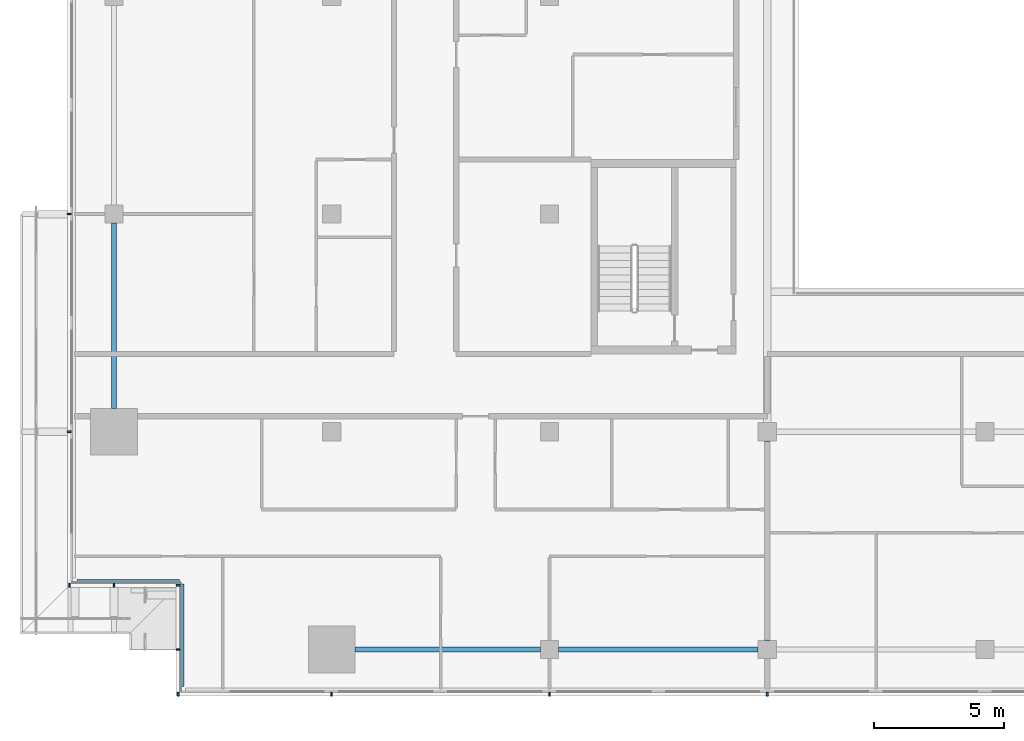
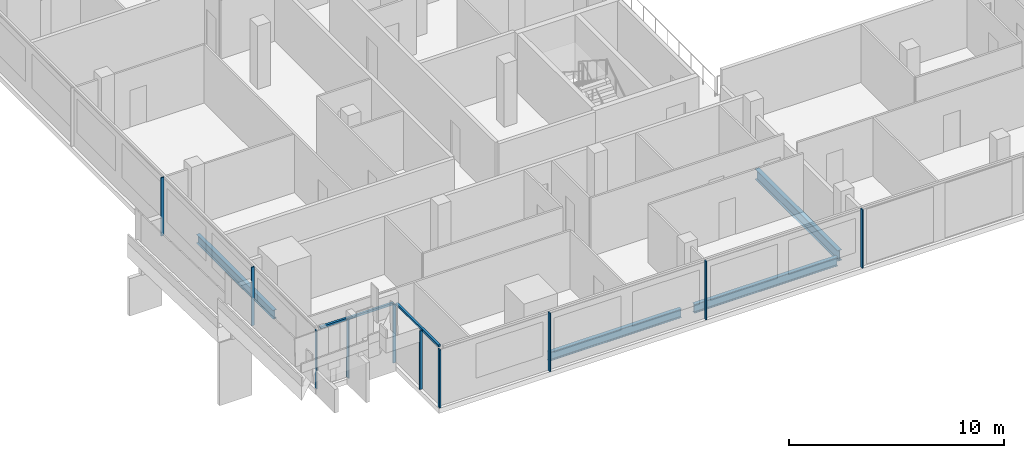
# One storey, part 2 of 29: 12 members, 4 beams, 4 elements without a shape of their own.
"""IFC4 building model written with IfcOpenShell, lengths in metres."""

import ifcopenshell
import ifcopenshell.guid

model = None  # the IFC model being written
_history = None  # IfcOwnerHistory: only IFC2X3 demands one
_inside = {}  # id of a spatial element -> (the spatial element, [elements in it])
_under = {}  # id of a project, library or spatial element -> (it, [spatial elements below it])
_declared = {}  # id of a project -> (the project, [libraries it declares])
_typed = {}  # id of a type object -> (the type object, [elements of that type])
_made_of = {}  # id of a material, layer set ... -> (it, [elements and type objects made of it])


def new_model(schema):
    """Start an empty IFC model of exactly this schema.

    Asked for "IFC4X3", IfcOpenShell would pick the latest addendum, in which some entities
    have other attributes; the version numbers below select the first issue.
    IFC2X3 requires an IfcOwnerHistory on every rooted entity: one is made here for all.
    """
    global model, _history
    if schema == "IFC4X3":
        model = ifcopenshell.file(schema_version=(4, 3, 0, 0))
    else:
        model = ifcopenshell.file(schema=schema)
    _inside.clear()
    _under.clear()
    _declared.clear()
    _typed.clear()
    _made_of.clear()
    _history = None
    if model.schema == "IFC2X3":
        org = make("IfcOrganization", Name="unknown")
        user = make(
            "IfcPersonAndOrganization",
            ThePerson=make("IfcPerson", FamilyName="unknown"),
            TheOrganization=org,
        )
        app = make(
            "IfcApplication",
            ApplicationDeveloper=org,
            Version="unknown",
            ApplicationFullName="unknown",
            ApplicationIdentifier="unknown",
        )
        _history = make(
            "IfcOwnerHistory",
            OwningUser=user,
            OwningApplication=app,
            ChangeAction="ADDED",
            CreationDate=0,
        )
    return model


def make(cls, **values):
    """One entity of the class cls with the attributes given. An attribute that is None is left unset."""
    return model.create_entity(
        cls, **{name: value for name, value in values.items() if value is not None}
    )


def rooted(cls, **values):
    """An entity with a GlobalId (a new one), such as an element, a storey or a relation."""
    return make(cls, GlobalId=ifcopenshell.guid.new(), OwnerHistory=_history, **values)


def si_unit(unit_type, name, prefix=None):
    """IfcSIUnit, for example si_unit("LENGTHUNIT", "METRE", prefix="MILLI")."""
    return make("IfcSIUnit", UnitType=unit_type, Prefix=prefix, Name=name)


def assignment(units):
    """IfcUnitAssignment: the units of a project."""
    return None if units is None else make("IfcUnitAssignment", Units=units)


def point(xyz):
    """IfcCartesianPoint."""
    return None if xyz is None else make("IfcCartesianPoint", Coordinates=xyz)


def direction(xyz):
    """IfcDirection."""
    return None if xyz is None else make("IfcDirection", DirectionRatios=xyz)


def frame(location, z_axis=None, x_axis=None):
    """IfcAxis2Placement3D, a coordinate frame: its origin and axes. An axis left out is left unset."""
    return make(
        "IfcAxis2Placement3D",
        Location=point(location),
        Axis=direction(z_axis),
        RefDirection=direction(x_axis),
    )


def frame_2d(location, x_axis=None):
    """IfcAxis2Placement2D, a coordinate frame in the plane: its origin and x axis."""
    return make(
        "IfcAxis2Placement2D", Location=point(location), RefDirection=direction(x_axis)
    )


def origin():
    """The frame at (0, 0, 0) with its axes left unset."""
    return frame((0.0, 0.0, 0.0))


def origin_2d():
    """The frame at (0, 0) in the plane with its x axis left unset."""
    return frame_2d((0.0, 0.0))


def place(relative_to, where):
    """IfcLocalPlacement: puts the frame where relative to a parent placement (None: the world)."""
    return make(
        "IfcLocalPlacement", PlacementRelTo=relative_to, RelativePlacement=where
    )


def context(
    kind, dimensions, precision=None, world=None, true_north=None, identifier=None
):
    """IfcGeometricRepresentationContext, for example the 3D "Model" context."""
    return make(
        "IfcGeometricRepresentationContext",
        ContextIdentifier=identifier,
        ContextType=kind,
        CoordinateSpaceDimension=dimensions,
        Precision=precision,
        WorldCoordinateSystem=world,
        TrueNorth=true_north,
    )


def subcontext(parent, identifier, kind, view, scale=None):
    """IfcGeometricRepresentationSubContext, for example "Body" below "Model"."""
    return make(
        "IfcGeometricRepresentationSubContext",
        ContextIdentifier=identifier,
        ContextType=kind,
        ParentContext=parent,
        TargetScale=scale,
        TargetView=view,
    )


def project(units=None, contexts=None):
    """IfcProject with its units and contexts."""
    return rooted(
        "IfcProject",
        Name="project",
        RepresentationContexts=contexts,
        UnitsInContext=assignment(units),
    )


def spatial(cls, under=None, at=None, **own):
    """A site, building, storey or space (cls), placed at a placement, below another one or the project."""
    s = rooted(cls, ObjectPlacement=at, **own)
    if under is not None:
        _under.setdefault(under.id(), (under, []))[1].append(s)
    return s


def profile(cls, at=None, kind="AREA", **sizes):
    """A parametric profile (cls). Its sizes go by their IFC names, for example OverallWidth=200.0."""
    return make(cls, ProfileType=kind, Position=at, **sizes)


def rectangle(**sizes):
    """IfcRectangleProfileDef."""
    return profile("IfcRectangleProfileDef", **sizes)


def i_section(**sizes):
    """IfcIShapeProfileDef."""
    return profile("IfcIShapeProfileDef", **sizes)


def extrude(swept, where, along, depth):
    """IfcExtrudedAreaSolid: the profile swept, set in the frame where, extruded along a direction by depth."""
    return make(
        "IfcExtrudedAreaSolid",
        SweptArea=swept,
        Position=where,
        ExtrudedDirection=direction(along),
        Depth=depth,
    )


def shape(context_of_items, identifier, shape_type, items):
    """IfcShapeRepresentation: the items that make up one representation, for example the "Body"."""
    return make(
        "IfcShapeRepresentation",
        ContextOfItems=context_of_items,
        RepresentationIdentifier=identifier,
        RepresentationType=shape_type,
        Items=items,
    )


def material(Name=None, Category=None):
    """IfcMaterial."""
    return make("IfcMaterial", Name=Name, Category=Category)


def material_profile(
    of_material, cross_section, Name=None, Category=None, Priority=None
):
    """IfcMaterialProfile: a cross section and its material."""
    return make(
        "IfcMaterialProfile",
        Name=Name,
        Material=of_material,
        Profile=cross_section,
        Priority=Priority,
        Category=Category,
    )


def profile_set(profiles, Name=None, composite=None):
    """IfcMaterialProfileSet."""
    return make(
        "IfcMaterialProfileSet",
        Name=Name,
        MaterialProfiles=profiles,
        CompositeProfile=composite,
    )


def made_of(thing, what):
    """Note that an element or type object is made of a material, layer set ...; save() writes the relation."""
    if what is not None:
        _made_of.setdefault(what.id(), (what, []))[1].append(thing)
    return thing


def type_object(cls, material=None, **own):
    """A type object (cls), such as IfcWallType, which elements share."""
    return made_of(rooted(cls, **own), material)


def element(
    cls,
    number,
    at=None,
    inside=None,
    cuts=None,
    type_object=None,
    material=None,
    context=None,
    identifier="Body",
    shape_type=None,
    held_by="IfcProductDefinitionShape",
    body=None,
    shapes=None,
    **own,
):
    """One element of the class cls, such as IfcWall. Its Tag is "e" and its number.

    at: its placement. inside: the storey or other place that contains it. cuts: it is an
    opening in that element (IfcRelVoidsElement). A single representation is given by context,
    identifier, shape_type and body (its items); several are given by shapes. held_by: the class
    of the entity that holds the representations. save() writes the other relations.
    """
    e = rooted(cls, Tag="e%d" % number, ObjectPlacement=at, **own)
    if body is not None:
        shapes = [shape(context, identifier, shape_type, body)]
    if shapes is not None:
        e.Representation = make(held_by, Representations=shapes)
    if inside is not None:
        _inside.setdefault(inside.id(), (inside, []))[1].append(e)
    if cuts is not None:
        rooted(
            "IfcRelVoidsElement", RelatingBuildingElement=cuts, RelatedOpeningElement=e
        )
    if type_object is not None:
        _typed.setdefault(type_object.id(), (type_object, []))[1].append(e)
    return made_of(e, material)


def aggregate(whole, parts):
    """IfcRelAggregates: a whole, such as a stair, and the parts it consists of."""
    return rooted("IfcRelAggregates", RelatingObject=whole, RelatedObjects=parts)


def save(model, path):
    """Write the relations noted so far, then the file.

    IfcRelAggregates (storeys below a building ...), IfcRelContainedInSpatialStructure (elements
    in a storey), IfcRelDefinesByType, IfcRelAssociatesMaterial and IfcRelDeclares: one each for
    every whole, place, type object, material and project.
    """
    for whole, parts in _under.values():
        aggregate(whole, parts)
    for where, things in _inside.values():
        rooted(
            "IfcRelContainedInSpatialStructure",
            RelatedElements=things,
            RelatingStructure=where,
        )
    for kind, things in _typed.values():
        rooted("IfcRelDefinesByType", RelatedObjects=things, RelatingType=kind)
    for what, things in _made_of.values():
        rooted("IfcRelAssociatesMaterial", RelatedObjects=things, RelatingMaterial=what)
    for by, libraries in _declared.values():
        rooted("IfcRelDeclares", RelatingContext=by, RelatedDefinitions=libraries)
    model.write(path)


model = new_model("IFC4")

# Units and contexts
model_context = context("Model", 3, precision=1e-05, world=origin(), true_north=direction((0.0, 1.0)))
body_context = subcontext(model_context, "Body", "Model", "MODEL_VIEW")
ifc_project = project(units=[si_unit("LENGTHUNIT", "METRE"), si_unit("AREAUNIT", "SQUARE_METRE"), si_unit("VOLUMEUNIT", "CUBIC_METRE"), si_unit("PLANEANGLEUNIT", "RADIAN"), si_unit("MASSUNIT", "GRAM", prefix="KILO")], contexts=[model_context])

# Site, building, storey
site_placement = place(None, origin())
site = spatial("IfcSite", under=ifc_project, at=site_placement, CompositionType="ELEMENT")
building_placement = place(site_placement, origin())
building = spatial("IfcBuilding", under=site, at=building_placement, Name="Saffron Gate Tower", CompositionType="ELEMENT")
storey_placement = place(building_placement, frame((0.0, 0.0, 187.050048828125)))
storey = spatial("IfcBuildingStorey", under=building, at=storey_placement, Name="L46", CompositionType="ELEMENT", Elevation=187.050048828125)

# Beams
ifc_material_1 = material(Name="Structural steel S355", Category="steel")
ifc_material_profile_1 = material_profile(ifc_material_1, i_section(OverallWidth=0.199951171875, OverallDepth=0.5, WebThickness=0.01025390625, FlangeThickness=0.01611328125, FilletRadius=0.02099609375, at=origin_2d()))
ifc_profile_set_1 = profile_set([ifc_material_profile_1], Name="Structural steel S355")
beam_type_1 = type_object("IfcBeamType", Name="B11 IPE 500", PredefinedType="SPANDREL", material=ifc_profile_set_1)
for number, where, z_axis, x_axis, name in (
    (1, (49.800048828125, 41.10009765625, -0.530029296875), (0.0, 1.0, 0.0), (-1.0, 0.0, 0.0), "B11 SPANDREL BEAM"),
    (2, (59.10009765625, 31.800048828125, -0.530029296875), (1.0, 0.0, 0.0), (0.0, 1.0, 0.0), "B11 SPANDREL BEAM"),
):
    element("IfcBeam", number, at=place(storey_placement, frame(where, z_axis=z_axis, x_axis=x_axis)), inside=storey, type_object=beam_type_1, Name=name, PredefinedType="SPANDREL", context=body_context, shape_type="SweptSolid", body=[
        extrude(i_section(OverallWidth=0.199951171875, OverallDepth=0.5, WebThickness=0.01025390625, FlangeThickness=0.01611328125, FilletRadius=0.02099609375, at=origin_2d()), origin(), (0.0, 0.0, 1.0), 7.14990234375),
    ])
beam_1_placement = place(storey_placement, frame((66.949951171875, 31.800048828125, -0.530029296875), z_axis=(1.0, 0.0, 0.0), x_axis=(0.0, 1.0, 0.0)))
element("IfcBeam", 3, at=beam_1_placement, inside=storey, type_object=beam_type_1, Name="B11 SPANDREL BEAM", PredefinedType="SPANDREL", context=body_context, shape_type="SweptSolid", body=[
    extrude(i_section(OverallWidth=0.199951171875, OverallDepth=0.5, WebThickness=0.01025390625, FlangeThickness=0.01611328125, FilletRadius=0.02099609375, at=origin_2d()), origin(), (0.0, 0.0, 1.0), 7.699951171875),
])
ifc_material_profile_2 = material_profile(ifc_material_1, i_section(OverallWidth=0.219970703125, OverallDepth=0.60009765625, WebThickness=0.011962890625, FlangeThickness=0.01904296875, FilletRadius=0.02392578125, at=origin_2d()))
ifc_profile_set_2 = profile_set([ifc_material_profile_2], Name="Structural steel S355")
beam_type_2 = type_object("IfcBeamType", Name="B15 IPE 600", PredefinedType="BEAM", material=ifc_profile_set_2)
beam_2_placement = place(storey_placement, frame((75.0, 32.14990234375, -0.580078125), z_axis=(0.0, 1.0, 0.0), x_axis=(-1.0, 0.0, 0.0)))
element("IfcBeam", 4, at=beam_2_placement, inside=storey, type_object=beam_type_2, Name="B15 FLOOR GIRDER", PredefinedType="BEAM", context=body_context, shape_type="SweptSolid", body=[
    extrude(i_section(OverallWidth=0.219970703125, OverallDepth=0.60009765625, WebThickness=0.011962890625, FlangeThickness=0.01904296875, FilletRadius=0.02392578125, at=origin_2d()), origin(), (0.0, 0.0, 1.0), 7.7001953125),
])

# Curtain wall, members
ifc_material_2 = material(Name="Aluminium, bronze anodised", Category="aluminium")
curtain_wall_type_1 = type_object("IfcCurtainWallType", Name="CWS1 curtain wall front facade", PredefinedType="NOTDEFINED", material=ifc_material_2)
curtain_wall_1_placement = place(storey_placement, origin())
curtain_wall_1 = element("IfcCurtainWall", 5, at=curtain_wall_1_placement, inside=storey, type_object=curtain_wall_type_1, Name="CWS1 run 1", PredefinedType="NOTDEFINED")
ifc_material_profile_3 = material_profile(ifc_material_2, rectangle(XDim=0.159912109375, YDim=0.06005859375, at=origin_2d()))
ifc_profile_set_3 = profile_set([ifc_material_profile_3], Name="Aluminium, bronze anodised")
member_type_1 = type_object("IfcMemberType", Name="CWS1 mullion 60x160", PredefinedType="MULLION", material=ifc_profile_set_3)
member_1_placement = place(storey_placement, frame((52.280029296875, 30.080078125, 0.0), z_axis=(0.0, 0.0, 1.0), x_axis=(0.0, 1.0, 0.0)))
member_1 = element("IfcMember", 6, at=member_1_placement, type_object=member_type_1, Name="CWS1 mullion 1", PredefinedType="MULLION", context=body_context, shape_type="SweptSolid", body=[
    extrude(rectangle(XDim=0.159912109375, YDim=0.06005859375, at=origin_2d()), origin(), (0.0, 0.0, 1.0), 3.320068359375),
])
member_2_placement = place(storey_placement, frame((58.199951171875, 30.080078125, 0.0), z_axis=(0.0, 0.0, 1.0), x_axis=(0.0, 1.0, 0.0)))
member_2 = element("IfcMember", 7, at=member_2_placement, type_object=member_type_1, Name="CWS1 mullion 2", PredefinedType="MULLION", context=body_context, shape_type="SweptSolid", body=[
    extrude(rectangle(XDim=0.159912109375, YDim=0.06005859375, at=origin_2d()), origin(), (0.0, 0.0, 1.0), 3.320068359375),
])
member_3_placement = place(storey_placement, frame((66.60009765625, 30.080078125, 0.0), z_axis=(0.0, 0.0, 1.0), x_axis=(0.0, 1.0, 0.0)))
member_3 = element("IfcMember", 8, at=member_3_placement, type_object=member_type_1, Name="CWS1 mullion 3", PredefinedType="MULLION", context=body_context, shape_type="SweptSolid", body=[
    extrude(rectangle(XDim=0.159912109375, YDim=0.06005859375, at=origin_2d()), origin(), (0.0, 0.0, 1.0), 3.320068359375),
])
member_4_placement = place(storey_placement, frame((75.0, 30.080078125, 0.0), z_axis=(0.0, 0.0, 1.0), x_axis=(0.0, 1.0, 0.0)))
member_4 = element("IfcMember", 9, at=member_4_placement, type_object=member_type_1, Name="CWS1 mullion 4", PredefinedType="MULLION", context=body_context, shape_type="SweptSolid", body=[
    extrude(rectangle(XDim=0.159912109375, YDim=0.06005859375, at=origin_2d()), origin(), (0.0, 0.0, 1.0), 3.320068359375),
])
aggregate(curtain_wall_1, [member_1, member_2, member_3, member_4])

curtain_wall_type_2 = type_object("IfcCurtainWallType", Name="CWS2 curtain wall side facades", PredefinedType="NOTDEFINED", material=ifc_material_2)
curtain_wall_2_placement = place(storey_placement, origin())
curtain_wall_2 = element("IfcCurtainWall", 10, at=curtain_wall_2_placement, inside=storey, type_object=curtain_wall_type_2, Name="CWS2 run 10", PredefinedType="NOTDEFINED")
ifc_material_profile_4 = material_profile(ifc_material_2, rectangle(XDim=0.159912109375, YDim=0.06005859375, at=origin_2d()))
ifc_profile_set_4 = profile_set([ifc_material_profile_4], Name="Aluminium, bronze anodised")
member_type_2 = type_object("IfcMemberType", Name="CWS2 mullion 60x160", PredefinedType="MULLION", material=ifc_profile_set_4)
member_5_placement = place(storey_placement, frame((48.080078125, 48.60009765625, 0.0), z_axis=(0.0, 0.0, 1.0), x_axis=(1.0, 0.0, 0.0)))
member_5 = element("IfcMember", 11, at=member_5_placement, type_object=member_type_2, Name="CWS2 mullion 4", PredefinedType="MULLION", context=body_context, shape_type="SweptSolid", body=[
    extrude(rectangle(XDim=0.159912109375, YDim=0.06005859375, at=origin_2d()), origin(), (0.0, 0.0, 1.0), 3.320068359375),
])
member_6_placement = place(storey_placement, frame((48.080078125, 40.199951171875, 0.0), z_axis=(0.0, 0.0, 1.0), x_axis=(1.0, 0.0, 0.0)))
member_6 = element("IfcMember", 12, at=member_6_placement, type_object=member_type_2, Name="CWS2 mullion 5", PredefinedType="MULLION", context=body_context, shape_type="SweptSolid", body=[
    extrude(rectangle(XDim=0.159912109375, YDim=0.06005859375, at=origin_2d()), origin(), (0.0, 0.0, 1.0), 3.320068359375),
])
aggregate(curtain_wall_2, [member_5, member_6])

# Curtain wall, member
curtain_wall_type_3 = type_object("IfcCurtainWallType", Name="CWS4 curtain wall corner returns", PredefinedType="NOTDEFINED", material=ifc_material_2)
curtain_wall_3_placement = place(storey_placement, origin())
curtain_wall_3 = element("IfcCurtainWall", 13, at=curtain_wall_3_placement, inside=storey, type_object=curtain_wall_type_3, Name="CWS4 run 11", PredefinedType="NOTDEFINED")
ifc_material_profile_5 = material_profile(ifc_material_2, rectangle(XDim=0.1201171875, YDim=0.1201171875, at=origin_2d()))
ifc_profile_set_5 = profile_set([ifc_material_profile_5], Name="Aluminium, bronze anodised")
member_type_3 = type_object("IfcMemberType", Name="CWS4 head transom", PredefinedType="USERDEFINED", material=ifc_profile_set_5)
member_7_placement = place(storey_placement, frame((48.367919921875, 34.447998046875, 3.260009765625), z_axis=(1.0, 0.0, 0.0), x_axis=(0.0, 1.0, 0.0)))
member_7 = element("IfcMember", 14, at=member_7_placement, type_object=member_type_3, Name="CWS4 head transom", ObjectType="TRANSOM", PredefinedType="USERDEFINED", context=body_context, shape_type="SweptSolid", body=[
    extrude(rectangle(XDim=0.1201171875, YDim=0.1201171875, at=origin_2d()), origin(), (0.0, 0.0, 1.0), 3.9599609375),
])

curtain_wall_4_placement = place(storey_placement, origin())
curtain_wall_4 = element("IfcCurtainWall", 15, at=curtain_wall_4_placement, inside=storey, type_object=curtain_wall_type_3, Name="CWS4 run 12", PredefinedType="NOTDEFINED")
member_8_placement = place(storey_placement, frame((52.447998046875, 34.327880859375, 3.260009765625), z_axis=(0.0, -1.0, 0.0), x_axis=(1.0, 0.0, 0.0)))
member_8 = element("IfcMember", 16, at=member_8_placement, type_object=member_type_3, Name="CWS4 head transom", ObjectType="TRANSOM", PredefinedType="USERDEFINED", context=body_context, shape_type="SweptSolid", body=[
    extrude(rectangle(XDim=0.1201171875, YDim=0.1201171875, at=origin_2d()), origin(), (0.0, 0.0, 1.0), 3.9599609375),
])

# Member
ifc_material_profile_6 = material_profile(ifc_material_2, rectangle(XDim=0.159912109375, YDim=0.06005859375, at=origin_2d()))
ifc_profile_set_6 = profile_set([ifc_material_profile_6], Name="Aluminium, bronze anodised")
member_type_4 = type_object("IfcMemberType", Name="CWS4 mullion 60x160", PredefinedType="MULLION", material=ifc_profile_set_6)
member_9_placement = place(storey_placement, frame((48.080078125, 34.280029296875, 0.0), z_axis=(0.0, 0.0, 1.0), x_axis=(0.0, 1.0, 0.0)))
member_9 = element("IfcMember", 17, at=member_9_placement, type_object=member_type_4, Name="CWS4 mullion 1", PredefinedType="MULLION", context=body_context, shape_type="SweptSolid", body=[
    extrude(rectangle(XDim=0.159912109375, YDim=0.06005859375, at=origin_2d()), origin(), (0.0, 0.0, 1.0), 3.320068359375),
])

member_10_placement = place(storey_placement, frame((49.800048828125, 34.280029296875, 0.0), z_axis=(0.0, 0.0, 1.0), x_axis=(0.0, 1.0, 0.0)))
member_10 = element("IfcMember", 18, at=member_10_placement, type_object=member_type_4, Name="CWS4 mullion 2", PredefinedType="MULLION", context=body_context, shape_type="SweptSolid", body=[
    extrude(rectangle(XDim=0.159912109375, YDim=0.06005859375, at=origin_2d()), origin(), (0.0, 0.0, 1.0), 3.320068359375),
])

aggregate(curtain_wall_3, [member_9, member_10, member_7])

member_11_placement = place(storey_placement, frame((52.280029296875, 34.280029296875, 0.0), z_axis=(0.0, 0.0, 1.0), x_axis=(1.0, 0.0, 0.0)))
member_11 = element("IfcMember", 19, at=member_11_placement, type_object=member_type_4, Name="CWS4 mullion 1", PredefinedType="MULLION", context=body_context, shape_type="SweptSolid", body=[
    extrude(rectangle(XDim=0.159912109375, YDim=0.06005859375, at=origin_2d()), origin(), (0.0, 0.0, 1.0), 3.320068359375),
])

member_12_placement = place(storey_placement, frame((52.280029296875, 31.800048828125, 0.0), z_axis=(0.0, 0.0, 1.0), x_axis=(1.0, 0.0, 0.0)))
member_12 = element("IfcMember", 20, at=member_12_placement, type_object=member_type_4, Name="CWS4 mullion 2", PredefinedType="MULLION", context=body_context, shape_type="SweptSolid", body=[
    extrude(rectangle(XDim=0.159912109375, YDim=0.06005859375, at=origin_2d()), origin(), (0.0, 0.0, 1.0), 3.320068359375),
])

aggregate(curtain_wall_4, [member_11, member_12, member_8])

save(model, "model.ifc")
